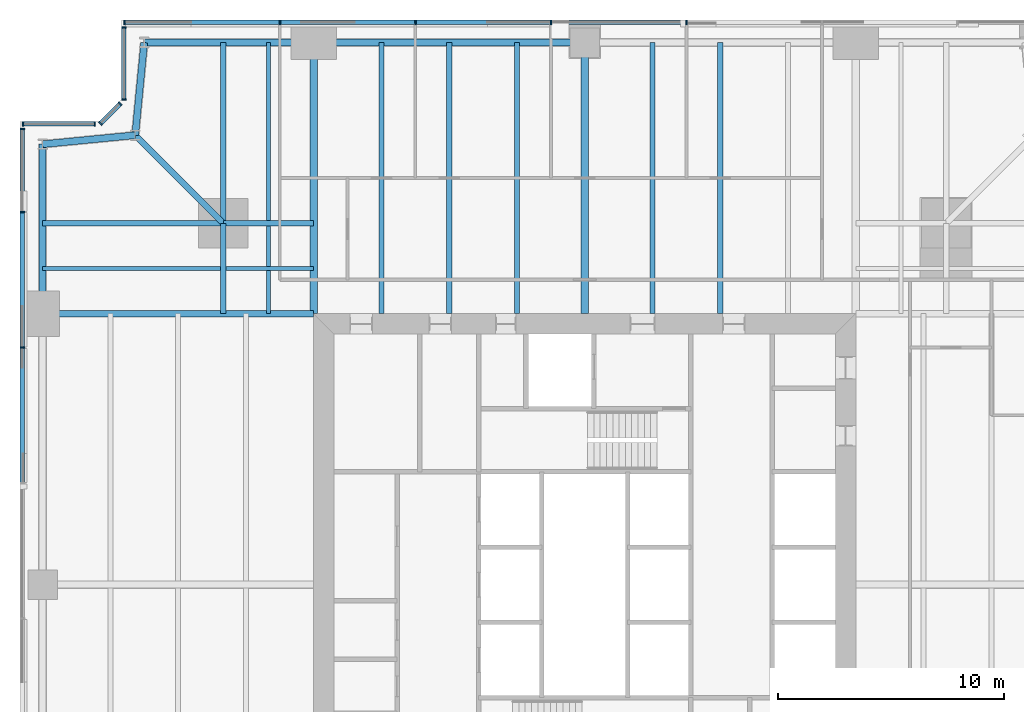
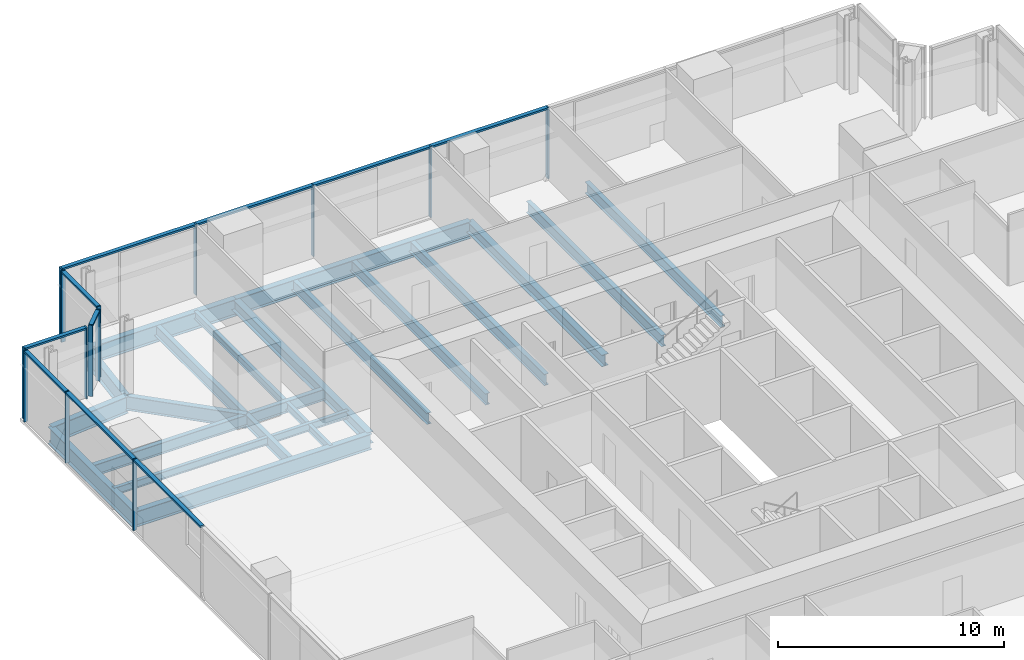
# One storey, part 6 of 14: 24 members, 23 beams, 5 elements without a shape of their own.
"""IFC4 building model written with IfcOpenShell, lengths in metres."""

from ifc_helpers import new_model, si_unit, direction, frame, origin, origin_2d, place, context, subcontext, project, spatial, rectangle, i_section, extrude, material, material_profile, profile_set, type_object, element, aggregate, save


model = new_model("IFC4")

# Units and contexts
model_context = context("Model", 3, precision=1e-05, world=origin(), true_north=direction((0.0, 1.0)))
body_context = subcontext(model_context, "Body", "Model", "MODEL_VIEW")
ifc_project = project(units=[si_unit("LENGTHUNIT", "METRE"), si_unit("AREAUNIT", "SQUARE_METRE"), si_unit("VOLUMEUNIT", "CUBIC_METRE"), si_unit("PLANEANGLEUNIT", "RADIAN"), si_unit("MASSUNIT", "GRAM", prefix="KILO")], contexts=[model_context])

# Site, building, storey
site_placement = place(None, origin())
site = spatial("IfcSite", under=ifc_project, at=site_placement, CompositionType="ELEMENT")
building_placement = place(site_placement, origin())
building = spatial("IfcBuilding", under=site, at=building_placement, Name="Fenwick Lantern Interchange", CompositionType="ELEMENT")
storey_placement = place(building_placement, frame((0.0, 0.0, 154.39990234375)))
storey = spatial("IfcBuildingStorey", under=building, at=storey_placement, Name="L36", CompositionType="ELEMENT", Elevation=154.39990234375)

# Beams
ifc_material_1 = material(Name="Steel ASTM A992 Grade 50", Category="steel")
ifc_material_profile_1 = material_profile(ifc_material_1, i_section(OverallWidth=0.3046875, OverallDepth=0.911865234375, WebThickness=0.015869140625, FlangeThickness=0.02392578125, at=origin_2d()), Name="W36X150")
ifc_profile_set_1 = profile_set([ifc_material_profile_1], Name="Steel ASTM A992 Grade 50")
beam_type_1 = type_object("IfcBeamType", Name="EDGE BEAM W36X150", PredefinedType="SPANDREL", material=ifc_profile_set_1)
beam_1_placement = place(storey_placement, frame((25.0, 49.0, -0.605712890625), z_axis=(-1.0, 0.0, 0.0), x_axis=(0.0, -1.0, 0.0)))
element("IfcBeam", 1, at=beam_1_placement, inside=storey, type_object=beam_type_1, Name="L36/FR/N/EB3", PredefinedType="SPANDREL", context=body_context, shape_type="SweptSolid", body=[
    extrude(i_section(OverallWidth=0.3046875, OverallDepth=0.911865234375, WebThickness=0.015869140625, FlangeThickness=0.02392578125, at=origin_2d()), origin(), (0.0, 0.0, 1.0), 12.0),
])
beam_2_placement = place(storey_placement, frame((13.0, 49.0, -0.605712890625), z_axis=(-1.0, 0.0, 0.0), x_axis=(0.0, -1.0, 0.0)))
element("IfcBeam", 2, at=beam_2_placement, inside=storey, type_object=beam_type_1, Name="L36/FR/N/EB4", PredefinedType="SPANDREL", context=body_context, shape_type="SweptSolid", body=[
    extrude(i_section(OverallWidth=0.3046875, OverallDepth=0.911865234375, WebThickness=0.015869140625, FlangeThickness=0.02392578125, at=origin_2d()), origin(), (0.0, 0.0, 1.0), 7.5),
])
for number, where, z_axis, x_axis, name in (
    (3, (5.5, 49.0, -0.605712890625), (-0.097074191287, -0.995277148028, 0.0), (0.995277148028, -0.097074191287, 0.0), "L36/FR/N/EBR1"),
    (4, (5.10009765625, 44.89990234375, -0.605712890625), (-0.995277148028, -0.097074191287, 0.0), (0.097074191287, -0.995277148028, 0.0), "L36/FR/N/EBR2"),
):
    element("IfcBeam", number, at=place(storey_placement, frame(where, z_axis=z_axis, x_axis=x_axis)), inside=storey, type_object=beam_type_1, Name=name, PredefinedType="SPANDREL", context=body_context, shape_type="SweptSolid", body=[
        extrude(i_section(OverallWidth=0.3046875, OverallDepth=0.911865234375, WebThickness=0.015869140625, FlangeThickness=0.02392578125, at=origin_2d()), origin(), (0.0, 0.0, 1.0), 4.11962890625),
    ])
beam_3_placement = place(storey_placement, frame((1.0, 44.5, -0.605712890625), z_axis=(0.0, -1.0, 0.0), x_axis=(1.0, 0.0, 0.0)))
element("IfcBeam", 5, at=beam_3_placement, inside=storey, type_object=beam_type_1, Name="L36/FR/W/EB1", PredefinedType="SPANDREL", context=body_context, shape_type="SweptSolid", body=[
    extrude(i_section(OverallWidth=0.3046875, OverallDepth=0.911865234375, WebThickness=0.015869140625, FlangeThickness=0.02392578125, at=origin_2d()), origin(), (0.0, 0.0, 1.0), 7.5),
])
ifc_material_profile_2 = material_profile(ifc_material_1, i_section(OverallWidth=0.22900390625, OverallDepth=0.612060546875, WebThickness=0.011962890625, FlangeThickness=0.01953125, at=origin_2d()), Name="W24X84")
ifc_profile_set_2 = profile_set([ifc_material_profile_2], Name="Steel ASTM A992 Grade 50")
beam_type_2 = type_object("IfcBeamType", Name="FLOOR BEAM W24X84", PredefinedType="BEAM", material=ifc_profile_set_2)
for number, where, z_axis, x_axis, name in (
    (6, (31.0, 49.0, -0.4560546875), (0.0, -1.0, 0.0), (1.0, 0.0, 0.0), "L36/FR/N/R03"),
    (7, (28.0, 49.0, -0.4560546875), (0.0, -1.0, 0.0), (1.0, 0.0, 0.0), "L36/FR/N/R04"),
    (8, (22.0, 49.0, -0.4560546875), (0.0, -1.0, 0.0), (1.0, 0.0, 0.0), "L36/FR/N/R06"),
    (9, (19.0, 49.0, -0.4560546875), (0.0, -1.0, 0.0), (1.0, 0.0, 0.0), "L36/FR/N/R07"),
    (10, (16.0, 49.0, -0.4560546875), (0.0, -1.0, 0.0), (1.0, 0.0, 0.0), "L36/FR/N/R08"),
):
    element("IfcBeam", number, at=place(storey_placement, frame(where, z_axis=z_axis, x_axis=x_axis)), inside=storey, type_object=beam_type_2, Name=name, PredefinedType="BEAM", context=body_context, shape_type="SweptSolid", body=[
        extrude(i_section(OverallWidth=0.22900390625, OverallDepth=0.612060546875, WebThickness=0.011962890625, FlangeThickness=0.01953125, at=origin_2d()), origin(), (0.0, 0.0, 1.0), 12.0),
    ])
ifc_material_profile_3 = material_profile(ifc_material_1, i_section(OverallWidth=0.177734375, OverallDepth=0.406494140625, WebThickness=0.0078125, FlangeThickness=0.012939453125, at=origin_2d()), Name="W16X40")
ifc_profile_set_3 = profile_set([ifc_material_profile_3], Name="Steel ASTM A992 Grade 50")
beam_type_3 = type_object("IfcBeamType", Name="INFILL BEAM W16X40", PredefinedType="JOIST", material=ifc_profile_set_3)
beam_4_placement = place(storey_placement, frame((1.0, 39.0, -0.35302734375), z_axis=(1.0, 0.0, 0.0), x_axis=(0.0, 1.0, 0.0)))
element("IfcBeam", 11, at=beam_4_placement, inside=storey, type_object=beam_type_3, Name="L36/FR/W/J1", PredefinedType="JOIST", context=body_context, shape_type="SweptSolid", body=[
    extrude(i_section(OverallWidth=0.177734375, OverallDepth=0.406494140625, WebThickness=0.0078125, FlangeThickness=0.012939453125, at=origin_2d()), origin(), (0.0, 0.0, 1.0), 7.885498046875),
])
beam_5_placement = place(storey_placement, frame((9.114501953125, 39.0, -0.35302734375), z_axis=(1.0, 0.0, 0.0), x_axis=(0.0, 1.0, 0.0)))
element("IfcBeam", 12, at=beam_5_placement, inside=storey, type_object=beam_type_3, Name="L36/FR/W/J2", PredefinedType="JOIST", context=body_context, shape_type="SweptSolid", body=[
    extrude(i_section(OverallWidth=0.177734375, OverallDepth=0.406494140625, WebThickness=0.0078125, FlangeThickness=0.012939453125, at=origin_2d()), origin(), (0.0, 0.0, 1.0), 3.885498046875),
])
beam_6_placement = place(storey_placement, frame((11.0, 49.0, -0.35302734375), z_axis=(0.0, -1.0, 0.0), x_axis=(1.0, 0.0, 0.0)))
element("IfcBeam", 13, at=beam_6_placement, inside=storey, type_object=beam_type_3, Name="L36/FR/W/J3", PredefinedType="JOIST", context=body_context, shape_type="SweptSolid", body=[
    extrude(i_section(OverallWidth=0.177734375, OverallDepth=0.406494140625, WebThickness=0.0078125, FlangeThickness=0.012939453125, at=origin_2d()), origin(), (0.0, 0.0, 1.0), 7.885498046875),
])
beam_7_placement = place(storey_placement, frame((11.0, 40.885498046875, -0.35302734375), z_axis=(0.0, -1.0, 0.0), x_axis=(1.0, 0.0, 0.0)))
element("IfcBeam", 14, at=beam_7_placement, inside=storey, type_object=beam_type_3, Name="L36/FR/W/J4", PredefinedType="JOIST", context=body_context, shape_type="SweptSolid", body=[
    extrude(i_section(OverallWidth=0.177734375, OverallDepth=0.406494140625, WebThickness=0.0078125, FlangeThickness=0.012939453125, at=origin_2d()), origin(), (0.0, 0.0, 1.0), 1.796630859375),
])
beam_8_placement = place(storey_placement, frame((11.0, 38.9111328125, -0.35302734375), z_axis=(0.0, -1.0, 0.0), x_axis=(1.0, 0.0, 0.0)))
element("IfcBeam", 15, at=beam_8_placement, inside=storey, type_object=beam_type_3, Name="L36/FR/W/J5", PredefinedType="JOIST", context=body_context, shape_type="SweptSolid", body=[
    extrude(i_section(OverallWidth=0.177734375, OverallDepth=0.406494140625, WebThickness=0.0078125, FlangeThickness=0.012939453125, at=origin_2d()), origin(), (0.0, 0.0, 1.0), 1.9111328125),
])
ifc_material_profile_4 = material_profile(ifc_material_1, i_section(OverallWidth=0.22900390625, OverallDepth=0.612060546875, WebThickness=0.011962890625, FlangeThickness=0.01953125, at=origin_2d()), Name="W24X84")
ifc_profile_set_4 = profile_set([ifc_material_profile_4], Name="Steel ASTM A992 Grade 50")
beam_type_4 = type_object("IfcBeamType", Name="MEGA COLUMN BEAM W24X84", PredefinedType="BEAM", material=ifc_profile_set_4)
for number, where, z_axis, x_axis, name in (
    (16, (9.0, 41.0, -0.4560546875), (-1.0, 0.0, 0.0), (0.0, -1.0, 0.0), "L36/FR/W/MB1"),
    (17, (9.0, 41.0, -0.4560546875), (0.0, 1.0, 0.0), (-1.0, 0.0, 0.0), "L36/FR/W/MB2"),
):
    element("IfcBeam", number, at=place(storey_placement, frame(where, z_axis=z_axis, x_axis=x_axis)), inside=storey, type_object=beam_type_4, Name=name, PredefinedType="BEAM", context=body_context, shape_type="SweptSolid", body=[
        extrude(i_section(OverallWidth=0.22900390625, OverallDepth=0.612060546875, WebThickness=0.011962890625, FlangeThickness=0.01953125, at=origin_2d()), origin(), (0.0, 0.0, 1.0), 8.0),
    ])
for number, where, z_axis, x_axis, name in (
    (18, (9.0, 41.0, -0.4560546875), (0.0, -1.0, 0.0), (1.0, 0.0, 0.0), "L36/FR/W/MB3"),
    (19, (9.0, 41.0, -0.4560546875), (1.0, 0.0, 0.0), (0.0, 1.0, 0.0), "L36/FR/W/MB4"),
):
    element("IfcBeam", number, at=place(storey_placement, frame(where, z_axis=z_axis, x_axis=x_axis)), inside=storey, type_object=beam_type_4, Name=name, PredefinedType="BEAM", context=body_context, shape_type="SweptSolid", body=[
        extrude(i_section(OverallWidth=0.22900390625, OverallDepth=0.612060546875, WebThickness=0.011962890625, FlangeThickness=0.01953125, at=origin_2d()), origin(), (0.0, 0.0, 1.0), 4.0),
    ])
ifc_material_profile_5 = material_profile(ifc_material_1, i_section(OverallWidth=0.32763671875, OverallDepth=0.622314453125, WebThickness=0.015380859375, FlangeThickness=0.0244140625, at=origin_2d()), Name="W24X131")
ifc_profile_set_5 = profile_set([ifc_material_profile_5], Name="Steel ASTM A992 Grade 50")
beam_type_5 = type_object("IfcBeamType", Name="MOMENT-CONNECTED GIRDER W24X131", PredefinedType="BEAM", material=ifc_profile_set_5)
for number, where, z_axis, x_axis, name in (
    (20, (25.0, 49.0, -0.4609375), (0.0, -1.0, 0.0), (1.0, 0.0, 0.0), "L36/FR/N/R05"),
    (21, (13.0, 49.0, -0.4609375), (0.0, -1.0, 0.0), (1.0, 0.0, 0.0), "L36/FR/N/R09"),
):
    element("IfcBeam", number, at=place(storey_placement, frame(where, z_axis=z_axis, x_axis=x_axis)), inside=storey, type_object=beam_type_5, Name=name, PredefinedType="BEAM", context=body_context, shape_type="SweptSolid", body=[
        extrude(i_section(OverallWidth=0.32763671875, OverallDepth=0.622314453125, WebThickness=0.015380859375, FlangeThickness=0.0244140625, at=origin_2d()), origin(), (0.0, 0.0, 1.0), 12.0),
    ])
ifc_material_profile_6 = material_profile(ifc_material_1, i_section(OverallWidth=0.2919921875, OverallDepth=0.845703125, WebThickness=0.015380859375, FlangeThickness=0.0244140625, at=origin_2d()), Name="W33X141")
ifc_profile_set_6 = profile_set([ifc_material_profile_6], Name="Steel ASTM A992 Grade 50")
beam_type_6 = type_object("IfcBeamType", Name="MOMENT-CONNECTED GIRDER W33X141", PredefinedType="BEAM", material=ifc_profile_set_6)
beam_9_placement = place(storey_placement, frame((1.0, 37.0, -0.57275390625), z_axis=(1.0, 0.0, 0.0), x_axis=(0.0, 1.0, 0.0)))
element("IfcBeam", 22, at=beam_9_placement, inside=storey, type_object=beam_type_6, Name="L36/FR/W/R01", PredefinedType="BEAM", context=body_context, shape_type="SweptSolid", body=[
    extrude(i_section(OverallWidth=0.2919921875, OverallDepth=0.845703125, WebThickness=0.015380859375, FlangeThickness=0.0244140625, at=origin_2d()), origin(), (0.0, 0.0, 1.0), 12.0),
])
ifc_material_profile_7 = material_profile(ifc_material_1, i_section(OverallWidth=0.2666015625, OverallDepth=0.7568359375, WebThickness=0.013916015625, FlangeThickness=0.019287109375, at=origin_2d()), Name="W30X108")
ifc_profile_set_7 = profile_set([ifc_material_profile_7], Name="Steel ASTM A992 Grade 50")
beam_type_7 = type_object("IfcBeamType", Name="NOTCH BEAM W30X108", PredefinedType="BEAM", material=ifc_profile_set_7)
beam_10_placement = place(storey_placement, frame((9.0, 41.0, -0.5283203125), z_axis=(-0.707106781187, 0.707106781187, 0.0), x_axis=(-0.707106781187, -0.707106781187, 0.0)))
element("IfcBeam", 23, at=beam_10_placement, inside=storey, type_object=beam_type_7, Name="L36/FR/W/TG", PredefinedType="BEAM", context=body_context, shape_type="SweptSolid", body=[
    extrude(i_section(OverallWidth=0.2666015625, OverallDepth=0.7568359375, WebThickness=0.013916015625, FlangeThickness=0.019287109375, at=origin_2d()), origin(), (0.0, 0.0, 1.0), 5.515380859375),
])

# Curtain wall, members
ifc_material_2 = material(Name="Aluminium curtain wall frame", Category="aluminium")
curtain_wall_type = type_object("IfcCurtainWallType", Name="OFFICE CURTAIN WALL", PredefinedType="USERDEFINED", material=ifc_material_2)
curtain_wall_1_placement = place(storey_placement, origin())
curtain_wall_1 = element("IfcCurtainWall", 24, at=curtain_wall_1_placement, inside=storey, type_object=curtain_wall_type, Name="Office curtain wall 09", ObjectType="OFFICE CURTAIN WALL", PredefinedType="USERDEFINED")
ifc_material_3 = material(Name="Aluminium extrusion", Category="aluminium")
ifc_material_profile_8 = material_profile(ifc_material_3, rectangle(XDim=0.199951171875, YDim=0.06494140625, at=origin_2d()), Name="OFFICE CURTAIN WALL MULLION 65 X 200")
ifc_profile_set_8 = profile_set([ifc_material_profile_8], Name="Aluminium extrusion")
member_type_1 = type_object("IfcMemberType", Name="OFFICE CURTAIN WALL MULLION 65 X 200", PredefinedType="MULLION", material=ifc_profile_set_8)
member_1_placement = place(storey_placement, frame((29.5, 49.89990234375, 0.0), z_axis=(0.0, 0.0, 1.0), x_axis=(0.0, -1.0, 0.0)))
member_1 = element("IfcMember", 25, at=member_1_placement, type_object=member_type_1, Name="L36/CW/09/M03", PredefinedType="MULLION", context=body_context, shape_type="SweptSolid", body=[
    extrude(rectangle(XDim=0.199951171875, YDim=0.06494140625, at=origin_2d()), origin(), (0.0, 0.0, 1.0), 3.85009765625),
])
member_2_placement = place(storey_placement, frame((23.5, 49.89990234375, 0.0), z_axis=(0.0, 0.0, 1.0), x_axis=(0.0, -1.0, 0.0)))
member_2 = element("IfcMember", 26, at=member_2_placement, type_object=member_type_1, Name="L36/CW/09/M04", PredefinedType="MULLION", context=body_context, shape_type="SweptSolid", body=[
    extrude(rectangle(XDim=0.199951171875, YDim=0.06494140625, at=origin_2d()), origin(), (0.0, 0.0, 1.0), 3.85009765625),
])
member_3_placement = place(storey_placement, frame((17.5, 49.89990234375, 0.0), z_axis=(0.0, 0.0, 1.0), x_axis=(0.0, -1.0, 0.0)))
member_3 = element("IfcMember", 27, at=member_3_placement, type_object=member_type_1, Name="L36/CW/09/M05", PredefinedType="MULLION", context=body_context, shape_type="SweptSolid", body=[
    extrude(rectangle(XDim=0.199951171875, YDim=0.06494140625, at=origin_2d()), origin(), (0.0, 0.0, 1.0), 3.85009765625),
])
member_4_placement = place(storey_placement, frame((11.5, 49.89990234375, 0.0), z_axis=(0.0, 0.0, 1.0), x_axis=(0.0, -1.0, 0.0)))
member_4 = element("IfcMember", 28, at=member_4_placement, type_object=member_type_1, Name="L36/CW/09/M06", PredefinedType="MULLION", context=body_context, shape_type="SweptSolid", body=[
    extrude(rectangle(XDim=0.199951171875, YDim=0.06494140625, at=origin_2d()), origin(), (0.0, 0.0, 1.0), 3.85009765625),
])
member_5_placement = place(storey_placement, frame((4.632568359375, 49.89990234375, 0.0), z_axis=(0.0, 0.0, 1.0), x_axis=(0.0, -1.0, 0.0)))
member_5 = element("IfcMember", 29, at=member_5_placement, type_object=member_type_1, Name="L36/CW/09/M07", PredefinedType="MULLION", context=body_context, shape_type="SweptSolid", body=[
    extrude(rectangle(XDim=0.199951171875, YDim=0.06494140625, at=origin_2d()), origin(), (0.0, 0.0, 1.0), 3.85009765625),
])

curtain_wall_2_placement = place(storey_placement, origin())
curtain_wall_2 = element("IfcCurtainWall", 30, at=curtain_wall_2_placement, inside=storey, type_object=curtain_wall_type, Name="Office curtain wall 10", ObjectType="OFFICE CURTAIN WALL", PredefinedType="USERDEFINED")
member_6_placement = place(storey_placement, frame((4.60009765625, 49.66748046875, 0.0), z_axis=(0.0, 0.0, 1.0), x_axis=(1.0, 0.0, 0.0)))
member_6 = element("IfcMember", 31, at=member_6_placement, type_object=member_type_1, Name="L36/CW/10/M00", PredefinedType="MULLION", context=body_context, shape_type="SweptSolid", body=[
    extrude(rectangle(XDim=0.199951171875, YDim=0.06494140625, at=origin_2d()), origin(), (0.0, 0.0, 1.0), 3.85009765625),
])
member_7_placement = place(storey_placement, frame((4.60009765625, 46.490966796875, 0.0), z_axis=(0.0, 0.0, 1.0), x_axis=(1.0, 0.0, 0.0)))
member_7 = element("IfcMember", 32, at=member_7_placement, type_object=member_type_1, Name="L36/CW/10/M01", PredefinedType="MULLION", context=body_context, shape_type="SweptSolid", body=[
    extrude(rectangle(XDim=0.199951171875, YDim=0.06494140625, at=origin_2d()), origin(), (0.0, 0.0, 1.0), 3.85009765625),
])

curtain_wall_3_placement = place(storey_placement, origin())
curtain_wall_3 = element("IfcCurtainWall", 33, at=curtain_wall_3_placement, inside=storey, type_object=curtain_wall_type, Name="Office curtain wall 11", ObjectType="OFFICE CURTAIN WALL", PredefinedType="USERDEFINED")
member_8_placement = place(storey_placement, frame((4.435546875, 46.294189453125, 0.0), z_axis=(0.0, 0.0, 1.0), x_axis=(0.707106781187, -0.707106781187, 0.0)))
member_8 = element("IfcMember", 34, at=member_8_placement, type_object=member_type_1, Name="L36/CW/11/M00", PredefinedType="MULLION", context=body_context, shape_type="SweptSolid", body=[
    extrude(rectangle(XDim=0.199951171875, YDim=0.06494140625, at=origin_2d()), origin(), (0.0, 0.0, 1.0), 3.85009765625),
])
member_9_placement = place(storey_placement, frame((3.564453125, 45.423095703125, 0.0), z_axis=(0.0, 0.0, 1.0), x_axis=(0.707106781187, -0.707106781187, 0.0)))
member_9 = element("IfcMember", 35, at=member_9_placement, type_object=member_type_1, Name="L36/CW/11/M01", PredefinedType="MULLION", context=body_context, shape_type="SweptSolid", body=[
    extrude(rectangle(XDim=0.199951171875, YDim=0.06494140625, at=origin_2d()), origin(), (0.0, 0.0, 1.0), 3.85009765625),
])

curtain_wall_4_placement = place(storey_placement, origin())
curtain_wall_4 = element("IfcCurtainWall", 36, at=curtain_wall_4_placement, inside=storey, type_object=curtain_wall_type, Name="Office curtain wall 12", ObjectType="OFFICE CURTAIN WALL", PredefinedType="USERDEFINED")
member_10_placement = place(storey_placement, frame((3.308837890625, 45.39990234375, 0.0), z_axis=(0.0, 0.0, 1.0), x_axis=(0.0, -1.0, 0.0)))
member_10 = element("IfcMember", 37, at=member_10_placement, type_object=member_type_1, Name="L36/CW/12/M00", PredefinedType="MULLION", context=body_context, shape_type="SweptSolid", body=[
    extrude(rectangle(XDim=0.199951171875, YDim=0.06494140625, at=origin_2d()), origin(), (0.0, 0.0, 1.0), 3.85009765625),
])
member_11_placement = place(storey_placement, frame((0.132568359375, 45.39990234375, 0.0), z_axis=(0.0, 0.0, 1.0), x_axis=(0.0, -1.0, 0.0)))
member_11 = element("IfcMember", 38, at=member_11_placement, type_object=member_type_1, Name="L36/CW/12/M01", PredefinedType="MULLION", context=body_context, shape_type="SweptSolid", body=[
    extrude(rectangle(XDim=0.199951171875, YDim=0.06494140625, at=origin_2d()), origin(), (0.0, 0.0, 1.0), 3.85009765625),
])

curtain_wall_5_placement = place(storey_placement, origin())
curtain_wall_5 = element("IfcCurtainWall", 39, at=curtain_wall_5_placement, inside=storey, type_object=curtain_wall_type, Name="Office curtain wall 13", ObjectType="OFFICE CURTAIN WALL", PredefinedType="USERDEFINED")
member_12_placement = place(storey_placement, frame((0.10009765625, 45.16748046875, 0.0), z_axis=(0.0, 0.0, 1.0), x_axis=(1.0, 0.0, 0.0)))
member_12 = element("IfcMember", 40, at=member_12_placement, type_object=member_type_1, Name="L36/CW/13/M00", PredefinedType="MULLION", context=body_context, shape_type="SweptSolid", body=[
    extrude(rectangle(XDim=0.199951171875, YDim=0.06494140625, at=origin_2d()), origin(), (0.0, 0.0, 1.0), 3.85009765625),
])
member_13_placement = place(storey_placement, frame((0.10009765625, 41.5, 0.0), z_axis=(0.0, 0.0, 1.0), x_axis=(1.0, 0.0, 0.0)))
member_13 = element("IfcMember", 41, at=member_13_placement, type_object=member_type_1, Name="L36/CW/13/M01", PredefinedType="MULLION", context=body_context, shape_type="SweptSolid", body=[
    extrude(rectangle(XDim=0.199951171875, YDim=0.06494140625, at=origin_2d()), origin(), (0.0, 0.0, 1.0), 3.85009765625),
])
member_14_placement = place(storey_placement, frame((0.10009765625, 35.5, 0.0), z_axis=(0.0, 0.0, 1.0), x_axis=(1.0, 0.0, 0.0)))
member_14 = element("IfcMember", 42, at=member_14_placement, type_object=member_type_1, Name="L36/CW/13/M02", PredefinedType="MULLION", context=body_context, shape_type="SweptSolid", body=[
    extrude(rectangle(XDim=0.199951171875, YDim=0.06494140625, at=origin_2d()), origin(), (0.0, 0.0, 1.0), 3.85009765625),
])

# Member
ifc_material_profile_9 = material_profile(ifc_material_3, rectangle(XDim=0.199951171875, YDim=0.10009765625, at=origin_2d()), Name="OFFICE CURTAIN WALL TRANSOM 100 X 200")
ifc_profile_set_9 = profile_set([ifc_material_profile_9], Name="Aluminium extrusion")
member_type_2 = type_object("IfcMemberType", Name="OFFICE CURTAIN WALL TRANSOM 100 X 200", PredefinedType="MULLION", material=ifc_profile_set_9)
member_15_placement = place(storey_placement, frame((29.467529296875, 49.89990234375, 3.800048828125), z_axis=(-1.0, 0.0, 0.0), x_axis=(0.0, -1.0, 0.0)))
member_15 = element("IfcMember", 43, at=member_15_placement, type_object=member_type_2, Name="L36/CW/09/T03", PredefinedType="MULLION", context=body_context, shape_type="SweptSolid", body=[
    extrude(rectangle(XDim=0.199951171875, YDim=0.10009765625, at=origin_2d()), origin(), (0.0, 0.0, 1.0), 5.93505859375),
])

member_16_placement = place(storey_placement, frame((23.467529296875, 49.89990234375, 3.800048828125), z_axis=(-1.0, 0.0, 0.0), x_axis=(0.0, -1.0, 0.0)))
member_16 = element("IfcMember", 44, at=member_16_placement, type_object=member_type_2, Name="L36/CW/09/T04", PredefinedType="MULLION", context=body_context, shape_type="SweptSolid", body=[
    extrude(rectangle(XDim=0.199951171875, YDim=0.10009765625, at=origin_2d()), origin(), (0.0, 0.0, 1.0), 5.93505859375),
])

member_17_placement = place(storey_placement, frame((17.467529296875, 49.89990234375, 3.800048828125), z_axis=(-1.0, 0.0, 0.0), x_axis=(0.0, -1.0, 0.0)))
member_17 = element("IfcMember", 45, at=member_17_placement, type_object=member_type_2, Name="L36/CW/09/T05", PredefinedType="MULLION", context=body_context, shape_type="SweptSolid", body=[
    extrude(rectangle(XDim=0.199951171875, YDim=0.10009765625, at=origin_2d()), origin(), (0.0, 0.0, 1.0), 5.93505859375),
])

member_18_placement = place(storey_placement, frame((11.467529296875, 49.89990234375, 3.800048828125), z_axis=(-1.0, 0.0, 0.0), x_axis=(0.0, -1.0, 0.0)))
member_18 = element("IfcMember", 46, at=member_18_placement, type_object=member_type_2, Name="L36/CW/09/T06", PredefinedType="MULLION", context=body_context, shape_type="SweptSolid", body=[
    extrude(rectangle(XDim=0.199951171875, YDim=0.10009765625, at=origin_2d()), origin(), (0.0, 0.0, 1.0), 6.802490234375),
])

aggregate(curtain_wall_1, [member_1, member_2, member_3, member_4, member_5, member_15, member_16, member_17, member_18])

member_19_placement = place(storey_placement, frame((4.60009765625, 49.635009765625, 3.800048828125), z_axis=(0.0, -1.0, 0.0), x_axis=(1.0, 0.0, 0.0)))
member_19 = element("IfcMember", 47, at=member_19_placement, type_object=member_type_2, Name="L36/CW/10/T00", PredefinedType="MULLION", context=body_context, shape_type="SweptSolid", body=[
    extrude(rectangle(XDim=0.199951171875, YDim=0.10009765625, at=origin_2d()), origin(), (0.0, 0.0, 1.0), 3.111328125),
])

aggregate(curtain_wall_2, [member_6, member_7, member_19])

member_20_placement = place(storey_placement, frame((4.41259765625, 46.271240234375, 3.800048828125), z_axis=(-0.707106781187, -0.707106781187, 0.0), x_axis=(0.707106781187, -0.707106781187, 0.0)))
member_20 = element("IfcMember", 48, at=member_20_placement, type_object=member_type_2, Name="L36/CW/11/T00", PredefinedType="MULLION", context=body_context, shape_type="SweptSolid", body=[
    extrude(rectangle(XDim=0.199951171875, YDim=0.10009765625, at=origin_2d()), origin(), (0.0, 0.0, 1.0), 1.1669921875),
])

aggregate(curtain_wall_3, [member_8, member_9, member_20])

member_21_placement = place(storey_placement, frame((3.2763671875, 45.39990234375, 3.800048828125), z_axis=(-1.0, 0.0, 0.0), x_axis=(0.0, -1.0, 0.0)))
member_21 = element("IfcMember", 49, at=member_21_placement, type_object=member_type_2, Name="L36/CW/12/T00", PredefinedType="MULLION", context=body_context, shape_type="SweptSolid", body=[
    extrude(rectangle(XDim=0.199951171875, YDim=0.10009765625, at=origin_2d()), origin(), (0.0, 0.0, 1.0), 3.111328125),
])

aggregate(curtain_wall_4, [member_10, member_11, member_21])

member_22_placement = place(storey_placement, frame((0.10009765625, 45.135009765625, 3.800048828125), z_axis=(0.0, -1.0, 0.0), x_axis=(1.0, 0.0, 0.0)))
member_22 = element("IfcMember", 50, at=member_22_placement, type_object=member_type_2, Name="L36/CW/13/T00", PredefinedType="MULLION", context=body_context, shape_type="SweptSolid", body=[
    extrude(rectangle(XDim=0.199951171875, YDim=0.10009765625, at=origin_2d()), origin(), (0.0, 0.0, 1.0), 3.6025390625),
])

member_23_placement = place(storey_placement, frame((0.10009765625, 41.467529296875, 3.800048828125), z_axis=(0.0, -1.0, 0.0), x_axis=(1.0, 0.0, 0.0)))
member_23 = element("IfcMember", 51, at=member_23_placement, type_object=member_type_2, Name="L36/CW/13/T01", PredefinedType="MULLION", context=body_context, shape_type="SweptSolid", body=[
    extrude(rectangle(XDim=0.199951171875, YDim=0.10009765625, at=origin_2d()), origin(), (0.0, 0.0, 1.0), 5.93505859375),
])

member_24_placement = place(storey_placement, frame((0.10009765625, 35.467529296875, 3.800048828125), z_axis=(0.0, -1.0, 0.0), x_axis=(1.0, 0.0, 0.0)))
member_24 = element("IfcMember", 52, at=member_24_placement, type_object=member_type_2, Name="L36/CW/13/T02", PredefinedType="MULLION", context=body_context, shape_type="SweptSolid", body=[
    extrude(rectangle(XDim=0.199951171875, YDim=0.10009765625, at=origin_2d()), origin(), (0.0, 0.0, 1.0), 5.93505859375),
])

aggregate(curtain_wall_5, [member_12, member_13, member_14, member_22, member_23, member_24])

save(model, "model.ifc")
